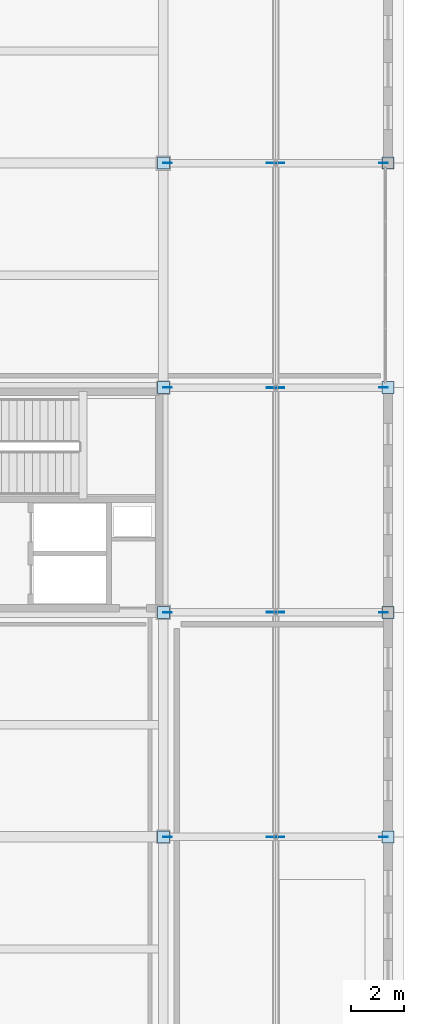
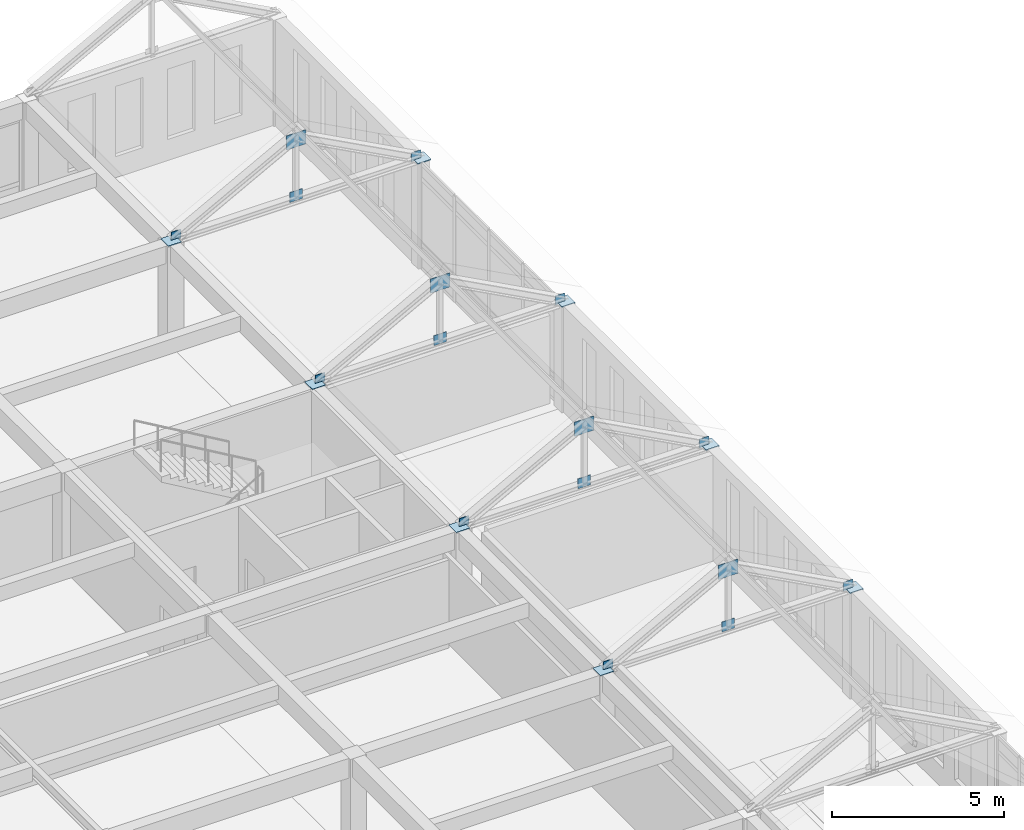
# One storey, part 25 of 36: 24 plates.
"""IFC4 building model written with IfcOpenShell, lengths in metres."""

from ifc_helpers import new_model, si_unit, direction, frame, origin, origin_2d, place, context, subcontext, project, spatial, rectangle, extrude, material, layer, layer_set, type_object, element, save


model = new_model("IFC4")

# Units and contexts
model_context = context("Model", 3, precision=1e-05, world=origin(), true_north=direction((0.0, 1.0)))
body_context = subcontext(model_context, "Body", "Model", "MODEL_VIEW")
ifc_project = project(units=[si_unit("LENGTHUNIT", "METRE"), si_unit("AREAUNIT", "SQUARE_METRE"), si_unit("VOLUMEUNIT", "CUBIC_METRE"), si_unit("PLANEANGLEUNIT", "RADIAN"), si_unit("MASSUNIT", "GRAM", prefix="KILO")], contexts=[model_context])

# Site, building, storey
site_placement = place(None, origin())
site = spatial("IfcSite", under=ifc_project, at=site_placement, CompositionType="ELEMENT")
building_placement = place(site_placement, origin())
building = spatial("IfcBuilding", under=site, at=building_placement, Name="Kveldsbrygga Polytechnic", CompositionType="ELEMENT")
storey_placement = place(building_placement, frame((0.0, 0.0, 22.10009765625)))
storey = spatial("IfcBuildingStorey", under=building, at=storey_placement, Name="L05", CompositionType="ELEMENT", Elevation=22.10009765625)

# Plates
ifc_material = material(Name="Steel S355", Category="steel")
ifc_layer_1 = layer(ifc_material, 0.030029296875)
ifc_layer_set_1 = layer_set([ifc_layer_1], Name="Steel S355")
plate_type_1 = type_object("IfcPlateType", Name="CAP-BEAR-450", PredefinedType="SHEET", material=ifc_layer_set_1)
for number, where, z_axis, x_axis, name in (
    (1, (159.60009765625, 67.199951171875, 3.75), (0.0, 0.0, 1.0), (1.0, 0.0, 0.0), "Truss Bearing Plate V4E6-T07-A"),
    (2, (168.0, 67.199951171875, 3.75), (0.0, 0.0, 1.0), (1.0, 0.0, 0.0), "Truss Bearing Plate V4E6-T07-B"),
    (3, (159.60009765625, 75.60009765625, 3.75), (0.0, 0.0, 1.0), (1.0, 0.0, 0.0), "Truss Bearing Plate V4E6-T08-A"),
    (4, (168.0, 75.60009765625, 3.75), (0.0, 0.0, 1.0), (1.0, 0.0, 0.0), "Truss Bearing Plate V4E6-T08-B"),
    (5, (159.60009765625, 84.0, 3.75), (0.0, 0.0, 1.0), (1.0, 0.0, 0.0), "Truss Bearing Plate V4E6-T09-A"),
    (6, (168.0, 84.0, 3.75), (0.0, 0.0, 1.0), (1.0, 0.0, 0.0), "Truss Bearing Plate V4E6-T09-B"),
    (7, (159.60009765625, 92.39990234375, 3.75), (0.0, 0.0, 1.0), (1.0, 0.0, 0.0), "Truss Bearing Plate V4E6-T10-A"),
    (8, (168.0, 92.39990234375, 3.75), (0.0, 0.0, 1.0), (1.0, 0.0, 0.0), "Truss Bearing Plate V4E6-T10-B"),
):
    element("IfcPlate", number, at=place(storey_placement, frame(where, z_axis=z_axis, x_axis=x_axis)), inside=storey, type_object=plate_type_1, Name=name, PredefinedType="SHEET", context=body_context, shape_type="SweptSolid", body=[
        extrude(rectangle(XDim=0.449951171875, YDim=0.449951171875, at=origin_2d()), origin(), (0.0, 0.0, 1.0), 0.030029296875),
    ])
ifc_layer_2 = layer(ifc_material, 0.02490234375)
ifc_layer_set_2 = layer_set([ifc_layer_2], Name="Steel S355")
plate_type_2 = type_object("IfcPlateType", Name="GUS-APEX-650", PredefinedType="SHEET", material=ifc_layer_set_2)
for number, where, z_axis, x_axis, name in (
    (9, (163.800048828125, 67.199951171875, 5.6298828125), (0.0, 0.0, 1.0), (1.0, 0.0, 0.0), "Truss Gusset Plate V4E6-T07-GP-1"),
    (10, (163.800048828125, 75.60009765625, 5.6298828125), (0.0, 0.0, 1.0), (1.0, 0.0, 0.0), "Truss Gusset Plate V4E6-T08-GP-1"),
    (11, (163.800048828125, 84.0, 5.6298828125), (0.0, 0.0, 1.0), (1.0, 0.0, 0.0), "Truss Gusset Plate V4E6-T09-GP-1"),
    (12, (163.800048828125, 92.39990234375, 5.6298828125), (0.0, 0.0, 1.0), (1.0, 0.0, 0.0), "Truss Gusset Plate V4E6-T10-GP-1"),
):
    element("IfcPlate", number, at=place(storey_placement, frame(where, z_axis=z_axis, x_axis=x_axis)), inside=storey, type_object=plate_type_2, Name=name, PredefinedType="SHEET", context=body_context, shape_type="SweptSolid", body=[
        extrude(rectangle(XDim=0.64990234375, YDim=0.02490234375, at=origin_2d()), origin(), (0.0, 0.0, 1.0), 0.5),
    ])
ifc_layer_3 = layer(ifc_material, 0.01806640625)
ifc_layer_set_3 = layer_set([ifc_layer_3], Name="Steel S355")
plate_type_3 = type_object("IfcPlateType", Name="GUS-BRACE-320", PredefinedType="SHEET", material=ifc_layer_set_3)
for number, where, z_axis, x_axis, name in (
    (13, (159.760009765625, 67.199951171875, 3.73974609375), (0.0, 0.0, 1.0), (1.0, 0.0, 0.0), "Truss Eaves Node Gusset V4E6-T07-EGP-A"),
    (14, (167.840087890625, 67.199951171875, 3.73974609375), (0.0, 0.0, 1.0), (1.0, 0.0, 0.0), "Truss Eaves Node Gusset V4E6-T07-EGP-B"),
    (15, (159.760009765625, 75.60009765625, 3.73974609375), (0.0, 0.0, 1.0), (1.0, 0.0, 0.0), "Truss Eaves Node Gusset V4E6-T08-EGP-A"),
    (16, (167.840087890625, 75.60009765625, 3.73974609375), (0.0, 0.0, 1.0), (1.0, 0.0, 0.0), "Truss Eaves Node Gusset V4E6-T08-EGP-B"),
    (17, (159.760009765625, 84.0, 3.73974609375), (0.0, 0.0, 1.0), (1.0, 0.0, 0.0), "Truss Eaves Node Gusset V4E6-T09-EGP-A"),
    (18, (167.840087890625, 84.0, 3.73974609375), (0.0, 0.0, 1.0), (1.0, 0.0, 0.0), "Truss Eaves Node Gusset V4E6-T09-EGP-B"),
    (19, (159.760009765625, 92.39990234375, 3.73974609375), (0.0, 0.0, 1.0), (1.0, 0.0, 0.0), "Truss Eaves Node Gusset V4E6-T10-EGP-A"),
    (20, (167.840087890625, 92.39990234375, 3.73974609375), (0.0, 0.0, 1.0), (1.0, 0.0, 0.0), "Truss Eaves Node Gusset V4E6-T10-EGP-B"),
):
    element("IfcPlate", number, at=place(storey_placement, frame(where, z_axis=z_axis, x_axis=x_axis)), inside=storey, type_object=plate_type_3, Name=name, PredefinedType="SHEET", context=body_context, shape_type="SweptSolid", body=[
        extrude(rectangle(XDim=0.320068359375, YDim=0.01806640625, at=origin_2d()), origin(), (0.0, 0.0, 1.0), 0.320068359375),
    ])
ifc_layer_4 = layer(ifc_material, 0.02001953125)
ifc_layer_set_4 = layer_set([ifc_layer_4], Name="Steel S355")
plate_type_4 = type_object("IfcPlateType", Name="GUS-LECT-420", PredefinedType="SHEET", material=ifc_layer_set_4)
for number, where, z_axis, x_axis, name in (
    (21, (163.800048828125, 67.199951171875, 3.724853515625), (0.0, 0.0, 1.0), (1.0, 0.0, 0.0), "Truss Bottom-Chord Node Gusset V4E6-T07-BGP-1"),
    (22, (163.800048828125, 75.60009765625, 3.724853515625), (0.0, 0.0, 1.0), (1.0, 0.0, 0.0), "Truss Bottom-Chord Node Gusset V4E6-T08-BGP-1"),
    (23, (163.800048828125, 84.0, 3.724853515625), (0.0, 0.0, 1.0), (1.0, 0.0, 0.0), "Truss Bottom-Chord Node Gusset V4E6-T09-BGP-1"),
    (24, (163.800048828125, 92.39990234375, 3.724853515625), (0.0, 0.0, 1.0), (1.0, 0.0, 0.0), "Truss Bottom-Chord Node Gusset V4E6-T10-BGP-1"),
):
    element("IfcPlate", number, at=place(storey_placement, frame(where, z_axis=z_axis, x_axis=x_axis)), inside=storey, type_object=plate_type_4, Name=name, PredefinedType="SHEET", context=body_context, shape_type="SweptSolid", body=[
        extrude(rectangle(XDim=0.419921875, YDim=0.02001953125, at=origin_2d()), origin(), (0.0, 0.0, 1.0), 0.35009765625),
    ])

save(model, "model.ifc")
